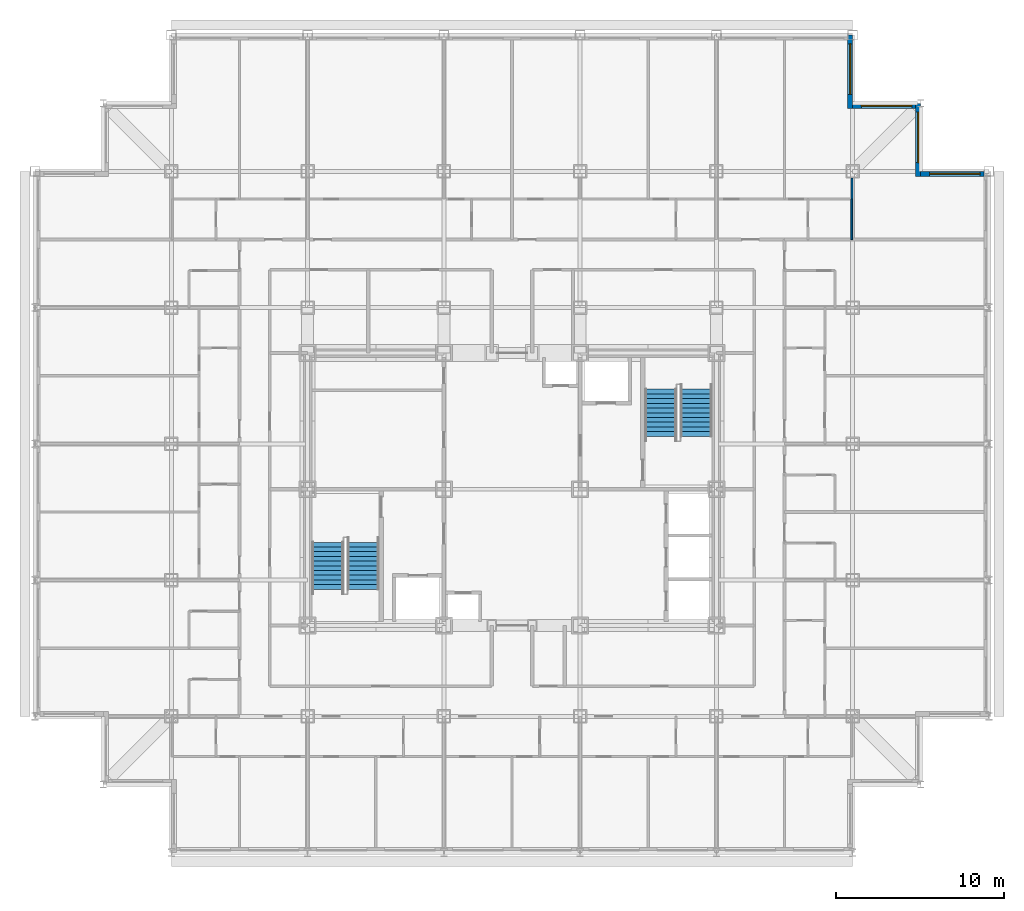
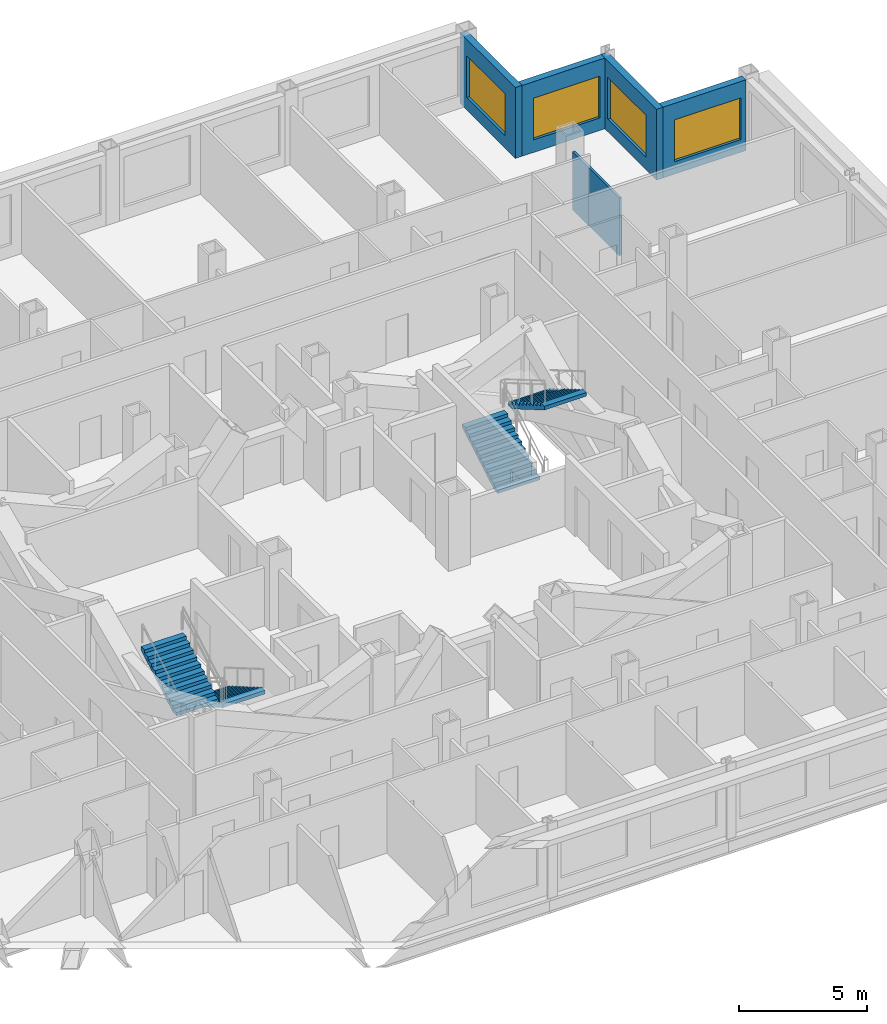
# One storey, part 11 of 12: 6 walls, 4 stair flights, 4 windows, 4 openings, 2 elements without a shape of their own.
"""IFC4 building model written with IfcOpenShell, lengths in metres."""

from ifc_helpers import new_model, si_unit, direction, frame, frame_2d, origin, place, context, subcontext, project, spatial, rectangle, extrude, polygons, source, transform, mapped, material, layer, layer_set, type_object, element, fill, aggregate, save


model = new_model("IFC4")

# Units and contexts
model_context = context("Model", 3, precision=1e-05, world=origin(), true_north=direction((0.0, 1.0)))
body_context = subcontext(model_context, "Body", "Model", "MODEL_VIEW")
ifc_project = project(units=[si_unit("LENGTHUNIT", "METRE"), si_unit("AREAUNIT", "SQUARE_METRE"), si_unit("VOLUMEUNIT", "CUBIC_METRE"), si_unit("PLANEANGLEUNIT", "RADIAN"), si_unit("MASSUNIT", "GRAM", prefix="KILO")], contexts=[model_context])

# Site, building, storey
site_placement = place(None, origin())
site = spatial("IfcSite", under=ifc_project, at=site_placement, CompositionType="ELEMENT")
building_placement = place(site_placement, origin())
building = spatial("IfcBuilding", under=site, at=building_placement, Name="Kopane Lantern Tower", CompositionType="ELEMENT")
storey_placement = place(building_placement, frame((0.0, 0.0, 181.199951171875)))
storey = spatial("IfcBuildingStorey", under=building, at=storey_placement, Name="L46", CompositionType="ELEMENT", Elevation=181.199951171875)

# Walls
ifc_material_1 = material(Name="Gypsum board on steel studs", Category="steel")
ifc_layer_1 = layer(ifc_material_1, 0.1201171875)
ifc_layer_set_1 = layer_set([ifc_layer_1], Name="APARTMENT INTERNAL WALL 120")
wall_type_1 = type_object("IfcWallType", Name="APARTMENT INTERNAL WALL 120", PredefinedType="PARTITIONING", material=ifc_layer_set_1)
wall_1_placement = place(storey_placement, frame((48.550048828125, 49.64990234375, 0.0), z_axis=(0.0, 0.0, 1.0), x_axis=(0.0, 1.0, 0.0)))
element("IfcWall", 1, at=wall_1_placement, inside=storey, type_object=wall_type_1, Name="Apartment Internal Wall 120 L46", PredefinedType="PARTITIONING", context=body_context, shape_type="SweptSolid", body=[
    extrude(rectangle(XDim=1.25, YDim=0.1201171875, at=frame_2d((0.625, 0.0))), origin(), (0.0, 0.0, 1.0), 2.77783203125),
])
ifc_material_2 = material(Name="Moisture-resistant board on steel studs", Category="steel")
ifc_layer_2 = layer(ifc_material_2, 0.10009765625)
ifc_layer_set_2 = layer_set([ifc_layer_2], Name="BATHROOM WALL 100")
wall_type_2 = type_object("IfcWallType", Name="BATHROOM WALL 100", PredefinedType="PARTITIONING", material=ifc_layer_set_2)
wall_2_placement = place(storey_placement, frame((48.550048828125, 47.25, 0.0), z_axis=(0.0, 0.0, 1.0), x_axis=(0.0, 1.0, 0.0)))
element("IfcWall", 2, at=wall_2_placement, inside=storey, type_object=wall_type_2, Name="Bathroom Wall 100 L46", PredefinedType="PARTITIONING", context=body_context, shape_type="SweptSolid", body=[
    extrude(rectangle(XDim=2.39990234375, YDim=0.10009765625, at=frame_2d((1.199951171875, 0.0))), origin(), (0.0, 0.0, 1.0), 2.77783203125),
])

# Wall, opening, window
ifc_material_3 = material(Name="Terracotta rainscreen on light steel framing", Category="masonry")
ifc_layer_3 = layer(ifc_material_3, 0.300048828125)
ifc_layer_set_3 = layer_set([ifc_layer_3], Name="EXTERNAL WALL EW1 300 TERRACOTTA")
wall_type_3 = type_object("IfcWallType", Name="EXTERNAL WALL EW1 300 TERRACOTTA", PredefinedType="SOLIDWALL", material=ifc_layer_set_3)
wall_3_placement = place(storey_placement, frame((56.39990234375, 51.14990234375, 0.0), z_axis=(0.0, 0.0, 1.0), x_axis=(-1.0, 0.0, 0.0)))
wall_3 = element("IfcWall", 3, at=wall_3_placement, inside=storey, type_object=wall_type_3, Name="External wall N L46", PredefinedType="SOLIDWALL", context=body_context, shape_type="SweptSolid", body=[
    extrude(rectangle(XDim=3.75, YDim=0.300048828125, at=frame_2d((1.875, 0.0))), origin(), (0.0, 0.0, 1.0), 3.39013671875),
])
opening_1_placement = place(wall_3_placement, frame((0.22509765625, 0.0, 0.60009765625)))
opening_1 = element("IfcOpeningElement", 4, at=opening_1_placement, cuts=wall_3, Name="Opening WR300200", PredefinedType="OPENING", context=body_context, shape_type="SweptSolid", body=[
    extrude(rectangle(XDim=3.0, YDim=2.0, at=frame_2d((1.5, 1.0))), frame((0.0, 0.159912109375, 0.0), z_axis=(0.0, -1.0, 0.0), x_axis=(1.0, 0.0, 0.0)), (0.0, 0.0, 1.0), 0.320068359375),
])
ifc_material_4 = material(Name="Aluminium and clear glass", Category="aluminium")
window_type = type_object("IfcWindowType", Name="RIBBON WINDOW WR300200 3000x2000", PartitioningType="SINGLE_PANEL", PredefinedType="WINDOW", material=ifc_material_4)
window_1_placement = place(opening_1_placement, origin())
window_1 = element("IfcWindow", 5, at=window_1_placement, inside=storey, type_object=window_type, Name="Window N L46", OverallHeight=2.0, OverallWidth=3.0, PartitioningType="SINGLE_PANEL", PredefinedType="WINDOW", context=body_context, shape_type="SweptSolid", body=[
    extrude(rectangle(XDim=3.0, YDim=2.0, at=frame_2d((1.5, 1.0))), frame((0.0, 0.030029296875, 0.0), z_axis=(0.0, -1.0, 0.0), x_axis=(1.0, 0.0, 0.0)), (0.0, 0.0, 1.0), 0.06005859375),
])
fill(opening_1, window_1)

wall_4_placement = place(storey_placement, frame((52.5, 51.0, 0.0), z_axis=(0.0, 0.0, 1.0), x_axis=(0.0, 1.0, 0.0)))
wall_4 = element("IfcWall", 6, at=wall_4_placement, inside=storey, type_object=wall_type_3, Name="External wall E L46", PredefinedType="SOLIDWALL", context=body_context, shape_type="SweptSolid", body=[
    extrude(rectangle(XDim=4.35009765625, YDim=0.300048828125, at=frame_2d((2.175048828125, 0.0))), origin(), (0.0, 0.0, 1.0), 3.39013671875),
])
opening_2_placement = place(wall_4_placement, frame((0.824951171875, 0.0, 0.60009765625)))
opening_2 = element("IfcOpeningElement", 7, at=opening_2_placement, cuts=wall_4, Name="Opening WR300200", PredefinedType="OPENING", context=body_context, shape_type="SweptSolid", body=[
    extrude(rectangle(XDim=3.0, YDim=2.0, at=frame_2d((1.5, 1.0))), frame((0.0, 0.159912109375, 0.0), z_axis=(0.0, -1.0, 0.0), x_axis=(1.0, 0.0, 0.0)), (0.0, 0.0, 1.0), 0.320068359375),
])
window_2_placement = place(opening_2_placement, origin())
window_2 = element("IfcWindow", 8, at=window_2_placement, inside=storey, type_object=window_type, Name="Window E L46", OverallHeight=2.0, OverallWidth=3.0, PartitioningType="SINGLE_PANEL", PredefinedType="WINDOW", context=body_context, shape_type="SweptSolid", body=[
    extrude(rectangle(XDim=3.0, YDim=2.0, at=frame_2d((1.5, 1.0))), frame((0.0, 0.030029296875, 0.0), z_axis=(0.0, -1.0, 0.0), x_axis=(1.0, 0.0, 0.0)), (0.0, 0.0, 1.0), 0.06005859375),
])
fill(opening_2, window_2)

wall_5_placement = place(storey_placement, frame((52.35009765625, 55.199951171875, 0.0), z_axis=(0.0, 0.0, 1.0), x_axis=(-1.0, 0.0, 0.0)))
wall_5 = element("IfcWall", 9, at=wall_5_placement, inside=storey, type_object=wall_type_3, Name="External wall N L46", PredefinedType="SOLIDWALL", context=body_context, shape_type="SweptSolid", body=[
    extrude(rectangle(XDim=3.75, YDim=0.300048828125, at=frame_2d((1.875, 0.0))), origin(), (0.0, 0.0, 1.0), 3.39013671875),
])
opening_3_placement = place(wall_5_placement, frame((0.22509765625, 0.0, 0.60009765625)))
opening_3 = element("IfcOpeningElement", 10, at=opening_3_placement, cuts=wall_5, Name="Opening WR300200", PredefinedType="OPENING", context=body_context, shape_type="SweptSolid", body=[
    extrude(rectangle(XDim=3.0, YDim=2.0, at=frame_2d((1.5, 1.0))), frame((0.0, 0.159912109375, 0.0), z_axis=(0.0, -1.0, 0.0), x_axis=(1.0, 0.0, 0.0)), (0.0, 0.0, 1.0), 0.320068359375),
])
window_3_placement = place(opening_3_placement, origin())
window_3 = element("IfcWindow", 11, at=window_3_placement, inside=storey, type_object=window_type, Name="Window N L46", OverallHeight=2.0, OverallWidth=3.0, PartitioningType="SINGLE_PANEL", PredefinedType="WINDOW", context=body_context, shape_type="SweptSolid", body=[
    extrude(rectangle(XDim=3.0, YDim=2.0, at=frame_2d((1.5, 1.0))), frame((0.0, 0.030029296875, 0.0), z_axis=(0.0, -1.0, 0.0), x_axis=(1.0, 0.0, 0.0)), (0.0, 0.0, 1.0), 0.06005859375),
])
fill(opening_3, window_3)

wall_6_placement = place(storey_placement, frame((48.449951171875, 55.050048828125, 0.0), z_axis=(0.0, 0.0, 1.0), x_axis=(0.0, 1.0, 0.0)))
wall_6 = element("IfcWall", 12, at=wall_6_placement, inside=storey, type_object=wall_type_3, Name="External wall E L46", PredefinedType="SOLIDWALL", context=body_context, shape_type="SweptSolid", body=[
    extrude(rectangle(XDim=4.349853515625, YDim=0.300048828125, at=frame_2d((2.1748046875, 0.0))), origin(), (0.0, 0.0, 1.0), 3.39013671875),
])
opening_4_placement = place(wall_6_placement, frame((0.824951171875, 0.0, 0.60009765625)))
opening_4 = element("IfcOpeningElement", 13, at=opening_4_placement, cuts=wall_6, Name="Opening WR300200", PredefinedType="OPENING", context=body_context, shape_type="SweptSolid", body=[
    extrude(rectangle(XDim=3.0, YDim=2.0, at=frame_2d((1.5, 1.0))), frame((0.0, 0.159912109375, 0.0), z_axis=(0.0, -1.0, 0.0), x_axis=(1.0, 0.0, 0.0)), (0.0, 0.0, 1.0), 0.320068359375),
])
window_4_placement = place(opening_4_placement, origin())
window_4 = element("IfcWindow", 14, at=window_4_placement, inside=storey, type_object=window_type, Name="Window E L46", OverallHeight=2.0, OverallWidth=3.0, PartitioningType="SINGLE_PANEL", PredefinedType="WINDOW", context=body_context, shape_type="SweptSolid", body=[
    extrude(rectangle(XDim=3.0, YDim=2.0, at=frame_2d((1.5, 1.0))), frame((0.0, 0.030029296875, 0.0), z_axis=(0.0, -1.0, 0.0), x_axis=(1.0, 0.0, 0.0)), (0.0, 0.0, 1.0), 0.06005859375),
])
fill(opening_4, window_4)

# Stair, stair flights
ifc_material_5 = material(Name="Steel S355JR", Category="steel")
stair_type = type_object("IfcStairType", Name="EXIT STAIR 1900 HALF TURN", PredefinedType="HALF_TURN_STAIR", material=ifc_material_5)
stair_1_placement = place(storey_placement, origin())
stair_1 = element("IfcStair", 15, at=stair_1_placement, inside=storey, type_object=stair_type, Name="Exit stair ST1 L46", PredefinedType="HALF_TURN_STAIR")
ifc_material_6 = material(Name="Steel S355JR", Category="steel")
stair_flight_type = type_object("IfcStairFlightType", Name="STAIR FLIGHT 1900 STEEL", PredefinedType="STRAIGHT", material=ifc_material_6)
shared_shape = source(origin(), body_context, "Body", "Tessellation", [
    polygons([(2.800048828, 0.949951172, 1.636474609), (2.520019531, 0.949951172, 1.636474609), (2.520019531, -0.949951172, 1.636474609), (2.800048828, -0.949951172, 1.636474609), (0.297119141, 0.949951172, 0.0), (2.800048828, 0.949951172, 1.462646484), (2.800048828, -0.949951172, 1.462646484), (0.297119141, -0.949951172, 0.0), (0.0, 0.949951172, 0.0), (0.0, -0.949951172, 0.0), (0.280029297, 0.949951172, 0.163574219), (0.0, 0.949951172, 0.163574219), (0.0, -0.949951172, 0.163574219), (0.280029297, -0.949951172, 0.163574219), (0.280029297, 0.949951172, 0.327392578), (0.280029297, -0.949951172, 0.327392578), (0.560058594, 0.949951172, 0.327392578), (0.560058594, -0.949951172, 0.327392578), (0.560058594, 0.949951172, 0.490966797), (0.560058594, -0.949951172, 0.490966797), (0.840087891, 0.949951172, 0.490966797), (0.840087891, -0.949951172, 0.490966797), (0.840087891, 0.949951172, 0.654541016), (0.840087891, -0.949951172, 0.654541016), (1.120117188, 0.949951172, 0.654541016), (1.120117188, -0.949951172, 0.654541016), (1.120117188, 0.949951172, 0.818115234), (1.120117188, -0.949951172, 0.818115234), (1.399902344, 0.949951172, 0.818115234), (1.399902344, -0.949951172, 0.818115234), (1.399902344, 0.949951172, 0.981933594), (1.399902344, -0.949951172, 0.981933594), (1.679931641, 0.949951172, 0.981933594), (1.679931641, -0.949951172, 0.981933594), (1.679931641, 0.949951172, 1.145507812), (1.679931641, -0.949951172, 1.145507812), (1.959960938, 0.949951172, 1.145507812), (1.959960938, -0.949951172, 1.145507812), (1.959960938, 0.949951172, 1.309082031), (1.959960938, -0.949951172, 1.309082031), (2.239990234, 0.949951172, 1.309082031), (2.239990234, -0.949951172, 1.309082031), (2.239990234, 0.949951172, 1.47265625), (2.239990234, -0.949951172, 1.47265625), (2.520019531, 0.949951172, 1.47265625), (2.520019531, -0.949951172, 1.47265625), (0.0, 0.0, 0.004420925), (0.0, 0.0, 0.00884185), (0.0, 0.0, 0.013262774), (0.0, 0.0, 0.017683699), (0.0, 0.0, 0.022104624), (0.0, 0.0, 0.026525549), (0.0, 0.0, 0.030946474), (0.0, 0.0, 0.035367399), (0.0, 0.0, 0.039788323), (0.0, 0.0, 0.044209248), (0.0, 0.0, 0.048630173), (0.0, 0.0, 0.053051098), (0.0, 0.0, 0.057472023), (0.0, 0.0, 0.061892948), (0.0, 0.0, 0.066313872), (0.0, 0.0, 0.070734797), (0.0, 0.0, 0.075155722), (0.0, 0.0, 0.079576647), (0.0, 0.0, 0.083997572), (0.0, 0.0, 0.088418497), (0.0, 0.0, 0.092839421), (0.0, 0.0, 0.097260346), (0.0, 0.0, 0.101681271), (0.0, 0.0, 0.106102196), (0.0, 0.0, 0.110523121), (0.0, 0.0, 0.114944046), (0.0, 0.0, 0.11936497), (0.0, 0.0, 0.123785895), (0.0, 0.0, 0.12820682), (0.0, 0.0, 0.132627745), (0.0, 0.0, 0.13704867), (0.0, 0.0, 0.141469595), (0.0, 0.0, 0.145890519), (0.0, 0.0, 0.150311444), (0.0, 0.0, 0.154732369), (0.0, 0.0, 0.159153294), (2.800048828, 0.0, 1.467344542), (2.800048828, 0.0, 1.472042599), (2.800048828, 0.0, 1.476740657), (2.800048828, 0.0, 1.481438714), (2.800048828, 0.0, 1.486136772), (2.800048828, 0.0, 1.490834829), (2.800048828, 0.0, 1.495532886), (2.800048828, 0.0, 1.500230944), (2.800048828, 0.0, 1.504929001), (2.800048828, 0.0, 1.509627059), (2.800048828, 0.0, 1.514325116), (2.800048828, 0.0, 1.519023174), (2.800048828, 0.0, 1.523721231), (2.800048828, 0.0, 1.528419288), (2.800048828, 0.0, 1.533117346), (2.800048828, 0.0, 1.537815403), (2.800048828, 0.0, 1.542513461), (2.800048828, 0.0, 1.547211518), (2.800048828, 0.0, 1.551909576), (2.800048828, 0.0, 1.556607633), (2.800048828, 0.0, 1.56130569), (2.800048828, 0.0, 1.566003748), (2.800048828, 0.0, 1.570701805), (2.800048828, 0.0, 1.575399863), (2.800048828, 0.0, 1.58009792), (2.800048828, 0.0, 1.584795978), (2.800048828, 0.0, 1.589494035), (2.800048828, 0.0, 1.594192092), (2.800048828, 0.0, 1.59889015), (2.800048828, 0.0, 1.603588207), (2.800048828, 0.0, 1.608286265), (2.800048828, 0.0, 1.612984322), (2.800048828, 0.0, 1.61768238), (2.800048828, 0.0, 1.622380437), (2.800048828, 0.0, 1.627078495), (2.800048828, 0.0, 1.631776552)], [[[1, 2, 3]], [[1, 3, 4]], [[5, 6, 7]], [[5, 7, 8]], [[9, 5, 8]], [[9, 8, 10]], [[11, 12, 13]], [[11, 13, 14]], [[15, 11, 14]], [[15, 14, 16]], [[17, 15, 16]], [[17, 16, 18]], [[19, 17, 18]], [[19, 18, 20]], [[21, 19, 20]], [[21, 20, 22]], [[23, 21, 22]], [[23, 22, 24]], [[25, 23, 24]], [[25, 24, 26]], [[27, 25, 26]], [[27, 26, 28]], [[29, 27, 28]], [[29, 28, 30]], [[31, 29, 30]], [[31, 30, 32]], [[33, 31, 32]], [[33, 32, 34]], [[35, 33, 34]], [[35, 34, 36]], [[37, 35, 36]], [[37, 36, 38]], [[39, 37, 38]], [[39, 38, 40]], [[41, 39, 40]], [[41, 40, 42]], [[43, 41, 42]], [[43, 42, 44]], [[45, 43, 44]], [[45, 44, 46]], [[2, 45, 46]], [[2, 46, 3]], [[45, 1, 6]], [[41, 45, 6]], [[2, 1, 45]], [[37, 41, 6]], [[43, 45, 41]], [[39, 41, 37]], [[35, 37, 33]], [[31, 33, 29]], [[27, 29, 25]], [[5, 21, 25]], [[17, 21, 5]], [[23, 25, 21]], [[11, 17, 5]], [[19, 21, 17]], [[9, 11, 5]], [[15, 17, 11]], [[12, 11, 9]], [[6, 5, 25]], [[6, 25, 29]], [[6, 29, 33]], [[6, 33, 37]], [[7, 4, 46]], [[7, 46, 42]], [[46, 4, 3]], [[7, 42, 38]], [[42, 46, 44]], [[38, 42, 40]], [[34, 38, 36]], [[30, 34, 32]], [[26, 30, 28]], [[26, 22, 8]], [[8, 22, 18]], [[22, 26, 24]], [[8, 18, 14]], [[18, 22, 20]], [[8, 14, 10]], [[14, 18, 16]], [[10, 14, 13]], [[26, 8, 7]], [[30, 26, 7]], [[34, 30, 7]], [[38, 34, 7]], [[10, 47, 9]], [[10, 48, 47]], [[9, 47, 48]], [[10, 49, 48]], [[9, 48, 49]], [[10, 50, 49]], [[9, 49, 50]], [[10, 51, 50]], [[9, 50, 51]], [[10, 52, 51]], [[9, 51, 52]], [[10, 53, 52]], [[9, 52, 53]], [[10, 54, 53]], [[9, 53, 54]], [[10, 55, 54]], [[9, 54, 55]], [[10, 56, 55]], [[9, 55, 56]], [[10, 57, 56]], [[9, 56, 57]], [[10, 58, 57]], [[9, 57, 58]], [[10, 59, 58]], [[9, 58, 59]], [[10, 60, 59]], [[9, 59, 60]], [[10, 61, 60]], [[9, 60, 61]], [[10, 62, 61]], [[9, 61, 62]], [[10, 63, 62]], [[9, 62, 63]], [[10, 64, 63]], [[9, 63, 64]], [[10, 65, 64]], [[9, 64, 65]], [[10, 66, 65]], [[9, 65, 66]], [[10, 67, 66]], [[9, 66, 67]], [[10, 68, 67]], [[9, 67, 68]], [[10, 69, 68]], [[9, 68, 69]], [[10, 70, 69]], [[9, 69, 70]], [[10, 71, 70]], [[9, 70, 71]], [[10, 72, 71]], [[9, 71, 72]], [[10, 73, 72]], [[9, 72, 73]], [[10, 74, 73]], [[9, 73, 74]], [[10, 75, 74]], [[9, 74, 75]], [[10, 76, 75]], [[9, 75, 76]], [[10, 77, 76]], [[9, 76, 77]], [[10, 78, 77]], [[9, 77, 78]], [[10, 79, 78]], [[9, 78, 79]], [[10, 80, 79]], [[9, 79, 80]], [[10, 81, 80]], [[9, 80, 81]], [[10, 82, 81]], [[9, 81, 82]], [[10, 13, 82]], [[82, 13, 12]], [[9, 82, 12]], [[7, 6, 83]], [[7, 83, 84]], [[6, 84, 83]], [[7, 84, 85]], [[6, 85, 84]], [[7, 85, 86]], [[6, 86, 85]], [[7, 86, 87]], [[6, 87, 86]], [[7, 87, 88]], [[6, 88, 87]], [[7, 88, 89]], [[6, 89, 88]], [[7, 89, 90]], [[6, 90, 89]], [[7, 90, 91]], [[6, 91, 90]], [[7, 91, 92]], [[6, 92, 91]], [[7, 92, 93]], [[6, 93, 92]], [[7, 93, 94]], [[6, 94, 93]], [[7, 94, 95]], [[6, 95, 94]], [[7, 95, 96]], [[6, 96, 95]], [[7, 96, 97]], [[6, 97, 96]], [[7, 97, 98]], [[6, 98, 97]], [[7, 98, 99]], [[6, 99, 98]], [[7, 99, 100]], [[6, 100, 99]], [[7, 100, 101]], [[6, 101, 100]], [[7, 101, 102]], [[6, 102, 101]], [[7, 102, 103]], [[6, 103, 102]], [[7, 103, 104]], [[6, 104, 103]], [[7, 104, 105]], [[6, 105, 104]], [[7, 105, 106]], [[6, 106, 105]], [[7, 106, 107]], [[6, 107, 106]], [[7, 107, 108]], [[6, 108, 107]], [[7, 108, 109]], [[6, 109, 108]], [[7, 109, 110]], [[6, 110, 109]], [[7, 110, 111]], [[6, 111, 110]], [[7, 111, 112]], [[6, 112, 111]], [[7, 112, 113]], [[6, 113, 112]], [[7, 113, 114]], [[6, 114, 113]], [[7, 114, 115]], [[6, 115, 114]], [[7, 115, 116]], [[6, 116, 115]], [[7, 116, 117]], [[6, 117, 116]], [[7, 117, 118]], [[6, 118, 117]], [[7, 118, 4]], [[118, 1, 4]], [[6, 1, 118]]], closed=True),
])
stair_flight_1_placement = place(storey_placement, frame((19.5, 29.25, 0.0), z_axis=(0.0, 0.0, 1.0), x_axis=(0.0, -1.0, 0.0)))
stair_flight_1 = element("IfcStairFlight", 16, at=stair_flight_1_placement, type_object=stair_flight_type, Name="ST1 flight 1", NumberOfRisers=11, NumberOfTreads=10, PredefinedType="STRAIGHT", RiserHeight=0.163636364, TreadLength=0.28, context=body_context, shape_type="MappedRepresentation", body=[
    mapped(shared_shape, transform((0.0, 0.0, 0.0))),
])
stair_flight_2_placement = place(storey_placement, frame((17.39990234375, 26.449951171875, 1.800048828125), z_axis=(0.0, 0.0, 1.0), x_axis=(0.0, 1.0, 0.0)))
stair_flight_2 = element("IfcStairFlight", 17, at=stair_flight_2_placement, type_object=stair_flight_type, Name="ST1 flight 2", NumberOfRisers=11, NumberOfTreads=10, PredefinedType="STRAIGHT", RiserHeight=0.163636364, TreadLength=0.28, context=body_context, shape_type="MappedRepresentation", body=[
    mapped(shared_shape, transform((0.0, 0.0, 0.0))),
])
aggregate(stair_1, [stair_flight_1, stair_flight_2])

stair_2_placement = place(storey_placement, origin())
stair_2 = element("IfcStair", 18, at=stair_2_placement, inside=storey, type_object=stair_type, Name="Exit stair ST2 L46", PredefinedType="HALF_TURN_STAIR")
stair_flight_3_placement = place(storey_placement, frame((37.199951171875, 35.550048828125, 0.0), z_axis=(0.0, 0.0, 1.0), x_axis=(0.0, 1.0, 0.0)))
stair_flight_3 = element("IfcStairFlight", 19, at=stair_flight_3_placement, type_object=stair_flight_type, Name="ST2 flight 1", NumberOfRisers=11, NumberOfTreads=10, PredefinedType="STRAIGHT", RiserHeight=0.163636364, TreadLength=0.28, context=body_context, shape_type="MappedRepresentation", body=[
    mapped(shared_shape, transform((0.0, 0.0, 0.0))),
])
stair_flight_4_placement = place(storey_placement, frame((39.300048828125, 38.35009765625, 1.800048828125), z_axis=(0.0, 0.0, 1.0), x_axis=(0.0, -1.0, 0.0)))
stair_flight_4 = element("IfcStairFlight", 20, at=stair_flight_4_placement, type_object=stair_flight_type, Name="ST2 flight 2", NumberOfRisers=11, NumberOfTreads=10, PredefinedType="STRAIGHT", RiserHeight=0.163636364, TreadLength=0.28, context=body_context, shape_type="MappedRepresentation", body=[
    mapped(shared_shape, transform((0.0, 0.0, 0.0))),
])
aggregate(stair_2, [stair_flight_3, stair_flight_4])

save(model, "model.ifc")
